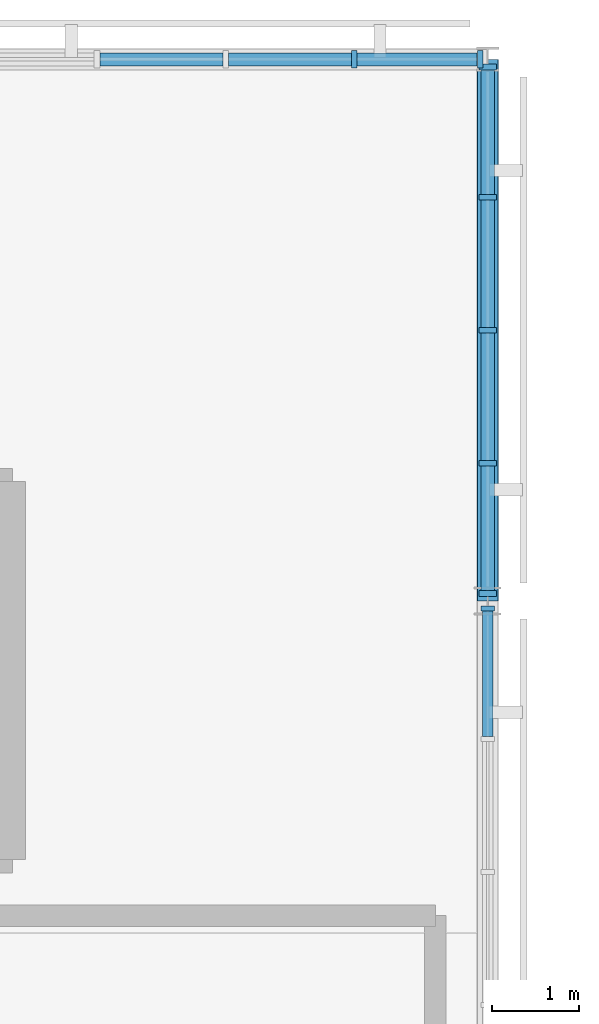
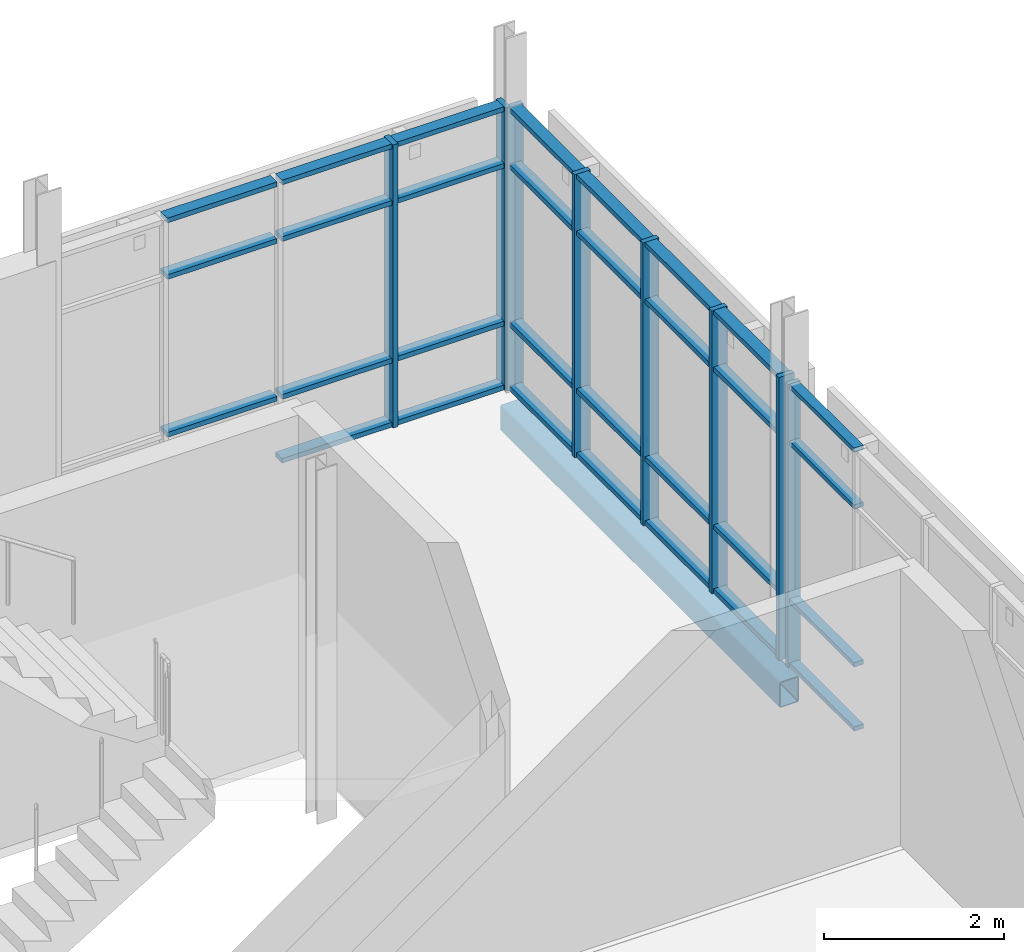
# One storey, part 34 of 66: 39 members, 1 beam, 3 elements without a shape of their own.
"""IFC4 building model written with IfcOpenShell, lengths in metres."""

from ifc_helpers import new_model, si_unit, direction, frame, origin, origin_2d, place, context, subcontext, project, spatial, rectangle, hollow_rectangle, extrude, material, layer, layer_set, material_profile, profile_set, type_object, element, aggregate, save


model = new_model("IFC4")

# Units and contexts
model_context = context("Model", 3, precision=1e-05, world=origin(), true_north=direction((0.0, 1.0)))
body_context = subcontext(model_context, "Body", "Model", "MODEL_VIEW")
ifc_project = project(units=[si_unit("LENGTHUNIT", "METRE"), si_unit("AREAUNIT", "SQUARE_METRE"), si_unit("VOLUMEUNIT", "CUBIC_METRE"), si_unit("PLANEANGLEUNIT", "RADIAN"), si_unit("MASSUNIT", "GRAM", prefix="KILO")], contexts=[model_context])

# Site, building, storey
site_placement = place(None, origin())
site = spatial("IfcSite", under=ifc_project, at=site_placement, CompositionType="ELEMENT")
building_placement = place(site_placement, origin())
building = spatial("IfcBuilding", under=site, at=building_placement, Name="Mirzam Square Science Centre", CompositionType="ELEMENT")
storey_placement = place(building_placement, frame((0.0, 0.0, 15.60009765625)))
storey = spatial("IfcBuildingStorey", under=building, at=storey_placement, Name="L03", CompositionType="ELEMENT", Elevation=15.60009765625)

# Curtain wall, member
ifc_material_1 = material(Name="Anodised Aluminium and Low-E Solar Glass", Category="aluminium")
ifc_layer_1 = layer(ifc_material_1, 0.219970703125)
ifc_layer_set_1 = layer_set([ifc_layer_1], Name="CW-OBS-A")
curtain_wall_type_1 = type_object("IfcCurtainWallType", Name="CW-OBS-A", PredefinedType="USERDEFINED", material=ifc_layer_set_1)
curtain_wall_1_placement = place(storey_placement, origin())
curtain_wall_1 = element("IfcCurtainWall", 1, at=curtain_wall_1_placement, inside=storey, type_object=curtain_wall_type_1, Name="L03 unitised curtain wall 143", ObjectType="UNITISED CURTAIN WALL", PredefinedType="USERDEFINED")
ifc_material_2 = material(Name="Anodised Architectural Aluminium 6063-T6", Category="aluminium")
ifc_material_profile_1 = material_profile(ifc_material_2, rectangle(XDim=0.06005859375, YDim=0.159912109375, at=origin_2d()), Name="ALU-MULL-160x60x4")
ifc_profile_set_1 = profile_set([ifc_material_profile_1], Name="Anodised Architectural Aluminium 6063-T6")
member_type_1 = type_object("IfcMemberType", Name="CWM-160", PredefinedType="MULLION", material=ifc_profile_set_1)
member_1_placement = place(storey_placement, frame((138.0, 105.31494140625, 0.0), z_axis=(0.0, 0.0, 1.0), x_axis=(0.0, 1.0, 0.0)))
member_1 = element("IfcMember", 2, at=member_1_placement, type_object=member_type_1, Name="CW-07 mullion 5", PredefinedType="MULLION", context=body_context, shape_type="SweptSolid", body=[
    extrude(rectangle(XDim=0.06005859375, YDim=0.159912109375, at=origin_2d()), origin(), (0.0, 0.0, 1.0), 3.83984375),
])

# Curtain wall, members
curtain_wall_2_placement = place(storey_placement, origin())
curtain_wall_2 = element("IfcCurtainWall", 3, at=curtain_wall_2_placement, inside=storey, type_object=curtain_wall_type_1, Name="L03 unitised curtain wall 137", ObjectType="UNITISED CURTAIN WALL", PredefinedType="USERDEFINED")
ifc_material_profile_2 = material_profile(ifc_material_2, rectangle(XDim=0.06494140625, YDim=0.199951171875, at=origin_2d()), Name="ALU-MULL-200x65x5")
ifc_profile_set_2 = profile_set([ifc_material_profile_2], Name="Anodised Architectural Aluminium 6063-T6")
member_type_2 = type_object("IfcMemberType", Name="CWM-200", PredefinedType="MULLION", material=ifc_profile_set_2)
member_2_placement = place(storey_placement, frame((137.91259765625, 111.60009765625, 0.0), z_axis=(0.0, 0.0, 1.0), x_axis=(-1.0, 0.0, 0.0)))
member_2 = element("IfcMember", 4, at=member_2_placement, type_object=member_type_2, Name="CW-07 mullion 1", PredefinedType="MULLION", context=body_context, shape_type="SweptSolid", body=[
    extrude(rectangle(XDim=0.06494140625, YDim=0.199951171875, at=origin_2d()), origin(), (0.0, 0.0, 1.0), 3.83984375),
])
member_3_placement = place(storey_placement, frame((136.472412109375, 111.60009765625, 0.0), z_axis=(0.0, 0.0, 1.0), x_axis=(-1.0, 0.0, 0.0)))
member_3 = element("IfcMember", 5, at=member_3_placement, type_object=member_type_2, Name="CW-07 mullion 2", PredefinedType="MULLION", context=body_context, shape_type="SweptSolid", body=[
    extrude(rectangle(XDim=0.06494140625, YDim=0.199951171875, at=origin_2d()), origin(), (0.0, 0.0, 1.0), 3.83984375),
])

ifc_layer_2 = layer(ifc_material_1, 0.179931640625)
ifc_layer_set_2 = layer_set([ifc_layer_2], Name="CW-LINK-A")
curtain_wall_type_2 = type_object("IfcCurtainWallType", Name="CW-LINK-A", PredefinedType="USERDEFINED", material=ifc_layer_set_2)
curtain_wall_3_placement = place(storey_placement, origin())
curtain_wall_3 = element("IfcCurtainWall", 6, at=curtain_wall_3_placement, inside=storey, type_object=curtain_wall_type_2, Name="L03 unitised curtain wall 145", ObjectType="UNITISED CURTAIN WALL", PredefinedType="USERDEFINED")
member_4_placement = place(storey_placement, frame((138.0, 105.487548828125, 0.0), z_axis=(0.0, 0.0, 1.0), x_axis=(0.0, 1.0, 0.0)))
member_4 = element("IfcMember", 7, at=member_4_placement, type_object=member_type_2, Name="CW-08 mullion 1", PredefinedType="MULLION", context=body_context, shape_type="SweptSolid", body=[
    extrude(rectangle(XDim=0.06494140625, YDim=0.199951171875, at=origin_2d()), origin(), (0.0, 0.0, 1.0), 3.83984375),
])
member_5_placement = place(storey_placement, frame((138.0, 106.9775390625, 0.0), z_axis=(0.0, 0.0, 1.0), x_axis=(0.0, 1.0, 0.0)))
member_5 = element("IfcMember", 8, at=member_5_placement, type_object=member_type_2, Name="CW-08 mullion 2", PredefinedType="MULLION", context=body_context, shape_type="SweptSolid", body=[
    extrude(rectangle(XDim=0.06494140625, YDim=0.199951171875, at=origin_2d()), origin(), (0.0, 0.0, 1.0), 3.83984375),
])
member_6_placement = place(storey_placement, frame((138.0, 108.5, 0.0), z_axis=(0.0, 0.0, 1.0), x_axis=(0.0, 1.0, 0.0)))
member_6 = element("IfcMember", 9, at=member_6_placement, type_object=member_type_2, Name="CW-08 mullion 3", PredefinedType="MULLION", context=body_context, shape_type="SweptSolid", body=[
    extrude(rectangle(XDim=0.06494140625, YDim=0.199951171875, at=origin_2d()), origin(), (0.0, 0.0, 1.0), 3.83984375),
])
member_7_placement = place(storey_placement, frame((138.0, 110.0224609375, 0.0), z_axis=(0.0, 0.0, 1.0), x_axis=(0.0, 1.0, 0.0)))
member_7 = element("IfcMember", 10, at=member_7_placement, type_object=member_type_2, Name="CW-08 mullion 4", PredefinedType="MULLION", context=body_context, shape_type="SweptSolid", body=[
    extrude(rectangle(XDim=0.06494140625, YDim=0.199951171875, at=origin_2d()), origin(), (0.0, 0.0, 1.0), 3.83984375),
])
member_8_placement = place(storey_placement, frame((138.0, 111.512451171875, 0.0), z_axis=(0.0, 0.0, 1.0), x_axis=(0.0, 1.0, 0.0)))
member_8 = element("IfcMember", 11, at=member_8_placement, type_object=member_type_2, Name="CW-08 mullion 5", PredefinedType="MULLION", context=body_context, shape_type="SweptSolid", body=[
    extrude(rectangle(XDim=0.06494140625, YDim=0.199951171875, at=origin_2d()), origin(), (0.0, 0.0, 1.0), 3.83984375),
])

# Member
ifc_material_profile_3 = material_profile(ifc_material_2, rectangle(XDim=0.1201171875, YDim=0.06005859375, at=origin_2d()), Name="ALU-TRAN-120x60x4")
ifc_profile_set_3 = profile_set([ifc_material_profile_3], Name="Anodised Architectural Aluminium 6063-T6")
member_type_3 = type_object("IfcMemberType", Name="CWT-120", PredefinedType="USERDEFINED", material=ifc_profile_set_3)
member_9_placement = place(storey_placement, frame((138.0, 103.8525390625, 0.02978515625), z_axis=(0.0, 1.0, 0.0), x_axis=(-1.0, 0.0, 0.0)))
member_9 = element("IfcMember", 12, at=member_9_placement, type_object=member_type_3, Name="CW-07 transom 4.1", ObjectType="TRANSOM", PredefinedType="USERDEFINED", context=body_context, shape_type="SweptSolid", body=[
    extrude(rectangle(XDim=0.1201171875, YDim=0.06005859375, at=origin_2d()), origin(), (0.0, 0.0, 1.0), 1.432373046875),
])

member_10_placement = place(storey_placement, frame((138.0, 103.8525390625, 0.89990234375), z_axis=(0.0, 1.0, 0.0), x_axis=(-1.0, 0.0, 0.0)))
member_10 = element("IfcMember", 13, at=member_10_placement, type_object=member_type_3, Name="CW-07 transom 4.2", ObjectType="TRANSOM", PredefinedType="USERDEFINED", context=body_context, shape_type="SweptSolid", body=[
    extrude(rectangle(XDim=0.1201171875, YDim=0.06005859375, at=origin_2d()), origin(), (0.0, 0.0, 1.0), 1.432373046875),
])

member_11_placement = place(storey_placement, frame((138.0, 103.8525390625, 3.039794921875), z_axis=(0.0, 1.0, 0.0), x_axis=(-1.0, 0.0, 0.0)))
member_11 = element("IfcMember", 14, at=member_11_placement, type_object=member_type_3, Name="CW-07 transom 4.3", ObjectType="TRANSOM", PredefinedType="USERDEFINED", context=body_context, shape_type="SweptSolid", body=[
    extrude(rectangle(XDim=0.1201171875, YDim=0.06005859375, at=origin_2d()), origin(), (0.0, 0.0, 1.0), 1.432373046875),
])

member_12_placement = place(storey_placement, frame((138.0, 103.8525390625, 3.809814453125), z_axis=(0.0, 1.0, 0.0), x_axis=(-1.0, 0.0, 0.0)))
member_12 = element("IfcMember", 15, at=member_12_placement, type_object=member_type_3, Name="CW-07 transom 4.4", ObjectType="TRANSOM", PredefinedType="USERDEFINED", context=body_context, shape_type="SweptSolid", body=[
    extrude(rectangle(XDim=0.1201171875, YDim=0.06005859375, at=origin_2d()), origin(), (0.0, 0.0, 1.0), 1.432373046875),
])

aggregate(curtain_wall_1, [member_1, member_9, member_10, member_11, member_12])

ifc_material_profile_4 = material_profile(ifc_material_2, rectangle(XDim=0.14990234375, YDim=0.06494140625, at=origin_2d()), Name="ALU-TRAN-150x65x4")
ifc_profile_set_4 = profile_set([ifc_material_profile_4], Name="Anodised Architectural Aluminium 6063-T6")
member_type_4 = type_object("IfcMemberType", Name="CWT-150", PredefinedType="USERDEFINED", material=ifc_profile_set_4)
member_13_placement = place(storey_placement, frame((137.8798828125, 111.60009765625, 0.032470703125), z_axis=(-1.0, 0.0, 0.0), x_axis=(0.0, -1.0, 0.0)))
member_13 = element("IfcMember", 16, at=member_13_placement, type_object=member_type_4, Name="CW-07 transom 1.1", ObjectType="TRANSOM", PredefinedType="USERDEFINED", context=body_context, shape_type="SweptSolid", body=[
    extrude(rectangle(XDim=0.14990234375, YDim=0.06494140625, at=origin_2d()), origin(), (0.0, 0.0, 1.0), 1.375),
])

member_14_placement = place(storey_placement, frame((137.8798828125, 111.60009765625, 0.89990234375), z_axis=(-1.0, 0.0, 0.0), x_axis=(0.0, -1.0, 0.0)))
member_14 = element("IfcMember", 17, at=member_14_placement, type_object=member_type_4, Name="CW-07 transom 1.2", ObjectType="TRANSOM", PredefinedType="USERDEFINED", context=body_context, shape_type="SweptSolid", body=[
    extrude(rectangle(XDim=0.14990234375, YDim=0.06494140625, at=origin_2d()), origin(), (0.0, 0.0, 1.0), 1.375),
])

member_15_placement = place(storey_placement, frame((137.8798828125, 111.60009765625, 3.039794921875), z_axis=(-1.0, 0.0, 0.0), x_axis=(0.0, -1.0, 0.0)))
member_15 = element("IfcMember", 18, at=member_15_placement, type_object=member_type_4, Name="CW-07 transom 1.3", ObjectType="TRANSOM", PredefinedType="USERDEFINED", context=body_context, shape_type="SweptSolid", body=[
    extrude(rectangle(XDim=0.14990234375, YDim=0.06494140625, at=origin_2d()), origin(), (0.0, 0.0, 1.0), 1.375),
])

member_16_placement = place(storey_placement, frame((137.8798828125, 111.60009765625, 3.807373046875), z_axis=(-1.0, 0.0, 0.0), x_axis=(0.0, -1.0, 0.0)))
member_16 = element("IfcMember", 19, at=member_16_placement, type_object=member_type_4, Name="CW-07 transom 1.4", ObjectType="TRANSOM", PredefinedType="USERDEFINED", context=body_context, shape_type="SweptSolid", body=[
    extrude(rectangle(XDim=0.14990234375, YDim=0.06494140625, at=origin_2d()), origin(), (0.0, 0.0, 1.0), 1.375),
])

member_17_placement = place(storey_placement, frame((136.43994140625, 111.60009765625, 0.032470703125), z_axis=(-1.0, 0.0, 0.0), x_axis=(0.0, -1.0, 0.0)))
member_17 = element("IfcMember", 20, at=member_17_placement, type_object=member_type_4, Name="CW-07 transom 2.1", ObjectType="TRANSOM", PredefinedType="USERDEFINED", context=body_context, shape_type="SweptSolid", body=[
    extrude(rectangle(XDim=0.14990234375, YDim=0.06494140625, at=origin_2d()), origin(), (0.0, 0.0, 1.0), 1.407470703125),
])

member_18_placement = place(storey_placement, frame((136.43994140625, 111.60009765625, 0.89990234375), z_axis=(-1.0, 0.0, 0.0), x_axis=(0.0, -1.0, 0.0)))
member_18 = element("IfcMember", 21, at=member_18_placement, type_object=member_type_4, Name="CW-07 transom 2.2", ObjectType="TRANSOM", PredefinedType="USERDEFINED", context=body_context, shape_type="SweptSolid", body=[
    extrude(rectangle(XDim=0.14990234375, YDim=0.06494140625, at=origin_2d()), origin(), (0.0, 0.0, 1.0), 1.407470703125),
])

member_19_placement = place(storey_placement, frame((136.43994140625, 111.60009765625, 3.039794921875), z_axis=(-1.0, 0.0, 0.0), x_axis=(0.0, -1.0, 0.0)))
member_19 = element("IfcMember", 22, at=member_19_placement, type_object=member_type_4, Name="CW-07 transom 2.3", ObjectType="TRANSOM", PredefinedType="USERDEFINED", context=body_context, shape_type="SweptSolid", body=[
    extrude(rectangle(XDim=0.14990234375, YDim=0.06494140625, at=origin_2d()), origin(), (0.0, 0.0, 1.0), 1.407470703125),
])

member_20_placement = place(storey_placement, frame((136.43994140625, 111.60009765625, 3.807373046875), z_axis=(-1.0, 0.0, 0.0), x_axis=(0.0, -1.0, 0.0)))
member_20 = element("IfcMember", 23, at=member_20_placement, type_object=member_type_4, Name="CW-07 transom 2.4", ObjectType="TRANSOM", PredefinedType="USERDEFINED", context=body_context, shape_type="SweptSolid", body=[
    extrude(rectangle(XDim=0.14990234375, YDim=0.06494140625, at=origin_2d()), origin(), (0.0, 0.0, 1.0), 1.407470703125),
])

member_21_placement = place(storey_placement, frame((134.967529296875, 111.60009765625, 0.89990234375), z_axis=(-1.0, 0.0, 0.0), x_axis=(0.0, -1.0, 0.0)))
member_21 = element("IfcMember", 24, at=member_21_placement, type_object=member_type_4, Name="CW-07 transom 3.2", ObjectType="TRANSOM", PredefinedType="USERDEFINED", context=body_context, shape_type="SweptSolid", body=[
    extrude(rectangle(XDim=0.14990234375, YDim=0.06494140625, at=origin_2d()), origin(), (0.0, 0.0, 1.0), 1.407470703125),
])

member_22_placement = place(storey_placement, frame((134.967529296875, 111.60009765625, 3.039794921875), z_axis=(-1.0, 0.0, 0.0), x_axis=(0.0, -1.0, 0.0)))
member_22 = element("IfcMember", 25, at=member_22_placement, type_object=member_type_4, Name="CW-07 transom 3.3", ObjectType="TRANSOM", PredefinedType="USERDEFINED", context=body_context, shape_type="SweptSolid", body=[
    extrude(rectangle(XDim=0.14990234375, YDim=0.06494140625, at=origin_2d()), origin(), (0.0, 0.0, 1.0), 1.407470703125),
])

member_23_placement = place(storey_placement, frame((134.967529296875, 111.60009765625, 3.807373046875), z_axis=(-1.0, 0.0, 0.0), x_axis=(0.0, -1.0, 0.0)))
member_23 = element("IfcMember", 26, at=member_23_placement, type_object=member_type_4, Name="CW-07 transom 3.4", ObjectType="TRANSOM", PredefinedType="USERDEFINED", context=body_context, shape_type="SweptSolid", body=[
    extrude(rectangle(XDim=0.14990234375, YDim=0.06494140625, at=origin_2d()), origin(), (0.0, 0.0, 1.0), 1.407470703125),
])

aggregate(curtain_wall_2, [member_2, member_3, member_13, member_14, member_15, member_16, member_17, member_18, member_19, member_20, member_21, member_22, member_23])

member_24_placement = place(storey_placement, frame((138.0, 105.52001953125, 0.032470703125), z_axis=(0.0, 1.0, 0.0), x_axis=(-1.0, 0.0, 0.0)))
member_24 = element("IfcMember", 27, at=member_24_placement, type_object=member_type_4, Name="CW-08 transom 1.1", ObjectType="TRANSOM", PredefinedType="USERDEFINED", context=body_context, shape_type="SweptSolid", body=[
    extrude(rectangle(XDim=0.14990234375, YDim=0.06494140625, at=origin_2d()), origin(), (0.0, 0.0, 1.0), 1.425048828125),
])

member_25_placement = place(storey_placement, frame((138.0, 105.52001953125, 0.89990234375), z_axis=(0.0, 1.0, 0.0), x_axis=(-1.0, 0.0, 0.0)))
member_25 = element("IfcMember", 28, at=member_25_placement, type_object=member_type_4, Name="CW-08 transom 1.2", ObjectType="TRANSOM", PredefinedType="USERDEFINED", context=body_context, shape_type="SweptSolid", body=[
    extrude(rectangle(XDim=0.14990234375, YDim=0.06494140625, at=origin_2d()), origin(), (0.0, 0.0, 1.0), 1.425048828125),
])

member_26_placement = place(storey_placement, frame((138.0, 105.52001953125, 3.039794921875), z_axis=(0.0, 1.0, 0.0), x_axis=(-1.0, 0.0, 0.0)))
member_26 = element("IfcMember", 29, at=member_26_placement, type_object=member_type_4, Name="CW-08 transom 1.3", ObjectType="TRANSOM", PredefinedType="USERDEFINED", context=body_context, shape_type="SweptSolid", body=[
    extrude(rectangle(XDim=0.14990234375, YDim=0.06494140625, at=origin_2d()), origin(), (0.0, 0.0, 1.0), 1.425048828125),
])

member_27_placement = place(storey_placement, frame((138.0, 105.52001953125, 3.807373046875), z_axis=(0.0, 1.0, 0.0), x_axis=(-1.0, 0.0, 0.0)))
member_27 = element("IfcMember", 30, at=member_27_placement, type_object=member_type_4, Name="CW-08 transom 1.4", ObjectType="TRANSOM", PredefinedType="USERDEFINED", context=body_context, shape_type="SweptSolid", body=[
    extrude(rectangle(XDim=0.14990234375, YDim=0.06494140625, at=origin_2d()), origin(), (0.0, 0.0, 1.0), 1.425048828125),
])

member_28_placement = place(storey_placement, frame((138.0, 107.010009765625, 0.032470703125), z_axis=(0.0, 1.0, 0.0), x_axis=(-1.0, 0.0, 0.0)))
member_28 = element("IfcMember", 31, at=member_28_placement, type_object=member_type_4, Name="CW-08 transom 2.1", ObjectType="TRANSOM", PredefinedType="USERDEFINED", context=body_context, shape_type="SweptSolid", body=[
    extrude(rectangle(XDim=0.14990234375, YDim=0.06494140625, at=origin_2d()), origin(), (0.0, 0.0, 1.0), 1.45751953125),
])

member_29_placement = place(storey_placement, frame((138.0, 107.010009765625, 0.89990234375), z_axis=(0.0, 1.0, 0.0), x_axis=(-1.0, 0.0, 0.0)))
member_29 = element("IfcMember", 32, at=member_29_placement, type_object=member_type_4, Name="CW-08 transom 2.2", ObjectType="TRANSOM", PredefinedType="USERDEFINED", context=body_context, shape_type="SweptSolid", body=[
    extrude(rectangle(XDim=0.14990234375, YDim=0.06494140625, at=origin_2d()), origin(), (0.0, 0.0, 1.0), 1.45751953125),
])

member_30_placement = place(storey_placement, frame((138.0, 107.010009765625, 3.039794921875), z_axis=(0.0, 1.0, 0.0), x_axis=(-1.0, 0.0, 0.0)))
member_30 = element("IfcMember", 33, at=member_30_placement, type_object=member_type_4, Name="CW-08 transom 2.3", ObjectType="TRANSOM", PredefinedType="USERDEFINED", context=body_context, shape_type="SweptSolid", body=[
    extrude(rectangle(XDim=0.14990234375, YDim=0.06494140625, at=origin_2d()), origin(), (0.0, 0.0, 1.0), 1.45751953125),
])

member_31_placement = place(storey_placement, frame((138.0, 107.010009765625, 3.807373046875), z_axis=(0.0, 1.0, 0.0), x_axis=(-1.0, 0.0, 0.0)))
member_31 = element("IfcMember", 34, at=member_31_placement, type_object=member_type_4, Name="CW-08 transom 2.4", ObjectType="TRANSOM", PredefinedType="USERDEFINED", context=body_context, shape_type="SweptSolid", body=[
    extrude(rectangle(XDim=0.14990234375, YDim=0.06494140625, at=origin_2d()), origin(), (0.0, 0.0, 1.0), 1.45751953125),
])

member_32_placement = place(storey_placement, frame((138.0, 108.532470703125, 0.032470703125), z_axis=(0.0, 1.0, 0.0), x_axis=(-1.0, 0.0, 0.0)))
member_32 = element("IfcMember", 35, at=member_32_placement, type_object=member_type_4, Name="CW-08 transom 3.1", ObjectType="TRANSOM", PredefinedType="USERDEFINED", context=body_context, shape_type="SweptSolid", body=[
    extrude(rectangle(XDim=0.14990234375, YDim=0.06494140625, at=origin_2d()), origin(), (0.0, 0.0, 1.0), 1.45751953125),
])

member_33_placement = place(storey_placement, frame((138.0, 108.532470703125, 0.89990234375), z_axis=(0.0, 1.0, 0.0), x_axis=(-1.0, 0.0, 0.0)))
member_33 = element("IfcMember", 36, at=member_33_placement, type_object=member_type_4, Name="CW-08 transom 3.2", ObjectType="TRANSOM", PredefinedType="USERDEFINED", context=body_context, shape_type="SweptSolid", body=[
    extrude(rectangle(XDim=0.14990234375, YDim=0.06494140625, at=origin_2d()), origin(), (0.0, 0.0, 1.0), 1.45751953125),
])

member_34_placement = place(storey_placement, frame((138.0, 108.532470703125, 3.039794921875), z_axis=(0.0, 1.0, 0.0), x_axis=(-1.0, 0.0, 0.0)))
member_34 = element("IfcMember", 37, at=member_34_placement, type_object=member_type_4, Name="CW-08 transom 3.3", ObjectType="TRANSOM", PredefinedType="USERDEFINED", context=body_context, shape_type="SweptSolid", body=[
    extrude(rectangle(XDim=0.14990234375, YDim=0.06494140625, at=origin_2d()), origin(), (0.0, 0.0, 1.0), 1.45751953125),
])

member_35_placement = place(storey_placement, frame((138.0, 108.532470703125, 3.807373046875), z_axis=(0.0, 1.0, 0.0), x_axis=(-1.0, 0.0, 0.0)))
member_35 = element("IfcMember", 38, at=member_35_placement, type_object=member_type_4, Name="CW-08 transom 3.4", ObjectType="TRANSOM", PredefinedType="USERDEFINED", context=body_context, shape_type="SweptSolid", body=[
    extrude(rectangle(XDim=0.14990234375, YDim=0.06494140625, at=origin_2d()), origin(), (0.0, 0.0, 1.0), 1.45751953125),
])

member_36_placement = place(storey_placement, frame((138.0, 110.054931640625, 0.032470703125), z_axis=(0.0, 1.0, 0.0), x_axis=(-1.0, 0.0, 0.0)))
member_36 = element("IfcMember", 39, at=member_36_placement, type_object=member_type_4, Name="CW-08 transom 4.1", ObjectType="TRANSOM", PredefinedType="USERDEFINED", context=body_context, shape_type="SweptSolid", body=[
    extrude(rectangle(XDim=0.14990234375, YDim=0.06494140625, at=origin_2d()), origin(), (0.0, 0.0, 1.0), 1.425048828125),
])

member_37_placement = place(storey_placement, frame((138.0, 110.054931640625, 0.89990234375), z_axis=(0.0, 1.0, 0.0), x_axis=(-1.0, 0.0, 0.0)))
member_37 = element("IfcMember", 40, at=member_37_placement, type_object=member_type_4, Name="CW-08 transom 4.2", ObjectType="TRANSOM", PredefinedType="USERDEFINED", context=body_context, shape_type="SweptSolid", body=[
    extrude(rectangle(XDim=0.14990234375, YDim=0.06494140625, at=origin_2d()), origin(), (0.0, 0.0, 1.0), 1.425048828125),
])

member_38_placement = place(storey_placement, frame((138.0, 110.054931640625, 3.039794921875), z_axis=(0.0, 1.0, 0.0), x_axis=(-1.0, 0.0, 0.0)))
member_38 = element("IfcMember", 41, at=member_38_placement, type_object=member_type_4, Name="CW-08 transom 4.3", ObjectType="TRANSOM", PredefinedType="USERDEFINED", context=body_context, shape_type="SweptSolid", body=[
    extrude(rectangle(XDim=0.14990234375, YDim=0.06494140625, at=origin_2d()), origin(), (0.0, 0.0, 1.0), 1.425048828125),
])

member_39_placement = place(storey_placement, frame((138.0, 110.054931640625, 3.807373046875), z_axis=(0.0, 1.0, 0.0), x_axis=(-1.0, 0.0, 0.0)))
member_39 = element("IfcMember", 42, at=member_39_placement, type_object=member_type_4, Name="CW-08 transom 4.4", ObjectType="TRANSOM", PredefinedType="USERDEFINED", context=body_context, shape_type="SweptSolid", body=[
    extrude(rectangle(XDim=0.14990234375, YDim=0.06494140625, at=origin_2d()), origin(), (0.0, 0.0, 1.0), 1.425048828125),
])

aggregate(curtain_wall_3, [member_4, member_5, member_6, member_7, member_8, member_24, member_25, member_26, member_27, member_28, member_29, member_30, member_31, member_32, member_33, member_34, member_35, member_36, member_37, member_38, member_39])

# Beam
ifc_material_3 = material(Name="Steel S355", Category="steel")
ifc_material_profile_5 = material_profile(ifc_material_3, hollow_rectangle(XDim=0.25, YDim=0.35009765625, WallThickness=0.012451171875, InnerFilletRadius=0.012451171875, OuterFilletRadius=0.02490234375, at=origin_2d()), Name="350x250x12.5RHS")
ifc_profile_set_5 = profile_set([ifc_material_profile_5], Name="Steel S355")
beam_type = type_object("IfcBeamType", Name="SP-RHS350", PredefinedType="SPANDREL", material=ifc_profile_set_5)
beam_placement = place(storey_placement, frame((138.0, 105.39990234375, -0.425048828125), z_axis=(0.0, 1.0, 0.0), x_axis=(-1.0, 0.0, 0.0)))
element("IfcBeam", 43, at=beam_placement, inside=storey, type_object=beam_type, Name="L03 girder Y24-18", PredefinedType="SPANDREL", context=body_context, shape_type="SweptSolid", body=[
    extrude(hollow_rectangle(XDim=0.25, YDim=0.35009765625, WallThickness=0.012451171875, InnerFilletRadius=0.012451171875, OuterFilletRadius=0.02490234375, at=origin_2d()), origin(), (0.0, 0.0, 1.0), 6.2001953125),
])

save(model, "model.ifc")
